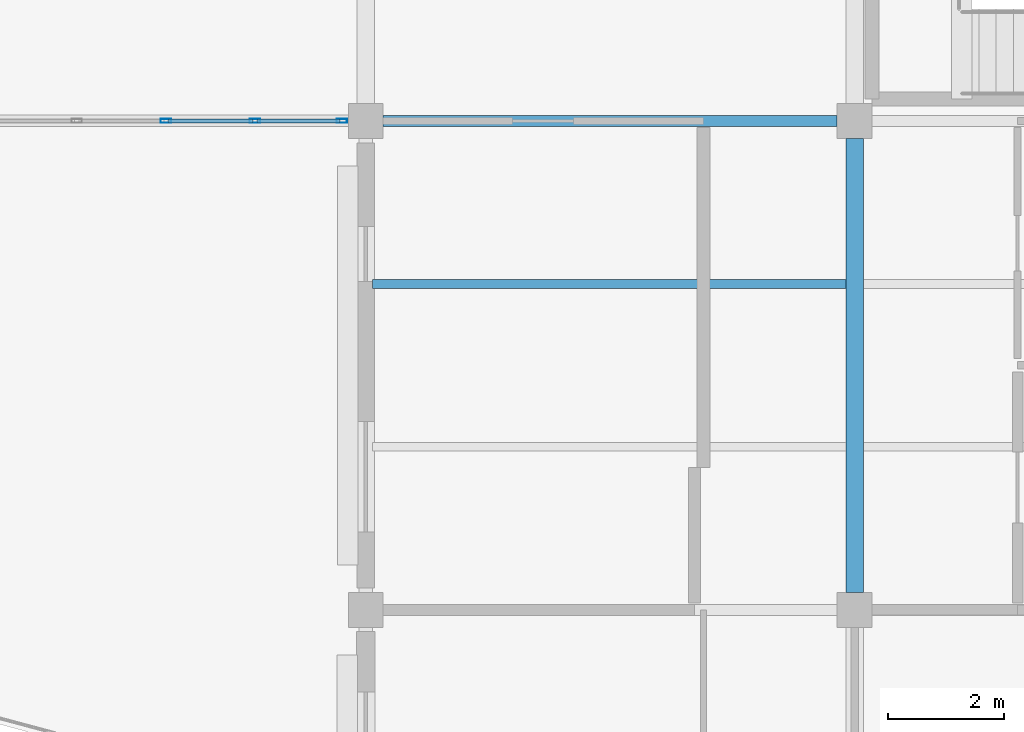
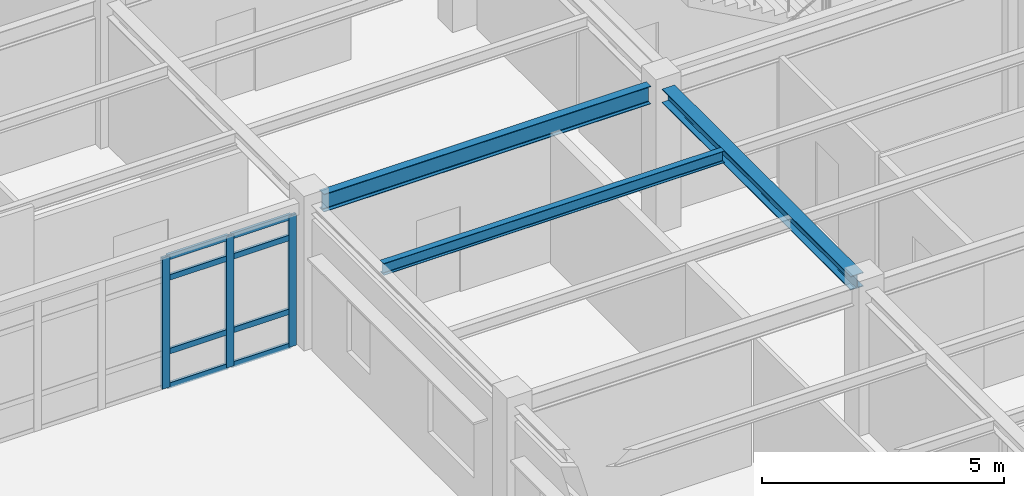
# One storey, part 19 of 86: 11 members, 3 beams, 1 element without a shape of its own.
"""IFC4 building model written with IfcOpenShell, lengths in metres."""

from ifc_helpers import new_model, si_unit, direction, frame, origin, origin_2d, place, context, subcontext, project, spatial, hollow_rectangle, i_section, extrude, material, layer, layer_set, material_profile, profile_set, type_object, element, aggregate, save


model = new_model("IFC4")

# Units and contexts
model_context = context("Model", 3, precision=1e-05, world=origin(), true_north=direction((0.0, 1.0)))
body_context = subcontext(model_context, "Body", "Model", "MODEL_VIEW")
ifc_project = project(units=[si_unit("LENGTHUNIT", "METRE"), si_unit("AREAUNIT", "SQUARE_METRE"), si_unit("VOLUMEUNIT", "CUBIC_METRE"), si_unit("PLANEANGLEUNIT", "RADIAN"), si_unit("MASSUNIT", "GRAM", prefix="KILO")], contexts=[model_context])

# Site, building, storey
site_placement = place(None, origin())
site = spatial("IfcSite", under=ifc_project, at=site_placement, CompositionType="ELEMENT")
building_placement = place(site_placement, origin())
building = spatial("IfcBuilding", under=site, at=building_placement, Name="Bramfleet General Hospital", CompositionType="ELEMENT")
storey_placement = place(building_placement, frame((0.0, 0.0, 18.60009765625)))
storey = spatial("IfcBuildingStorey", under=building, at=storey_placement, Name="L04", CompositionType="ELEMENT", Elevation=18.60009765625)

# Beams
ifc_material_1 = material(Name="Steel S355", Category="steel")
ifc_material_profile_1 = material_profile(ifc_material_1, i_section(OverallWidth=0.300048828125, OverallDepth=0.35009765625, WebThickness=0.010009765625, FlangeThickness=0.017578125, FilletRadius=0.027099609375, at=origin_2d()), Name="HEA 360")
ifc_profile_set_1 = profile_set([ifc_material_profile_1], Name="Steel S355")
beam_type_1 = type_object("IfcBeamType", Name="BM-HEA360", PredefinedType="BEAM", material=ifc_profile_set_1)
beam_1_placement = place(storey_placement, frame((100.800048828125, 84.300048828125, 3.44482421875), z_axis=(0.0, 1.0, 0.0), x_axis=(-1.0, 0.0, 0.0)))
element("IfcBeam", 1, at=beam_1_placement, inside=storey, type_object=beam_type_1, Name="L04 Grid Beam Y 12-10", PredefinedType="BEAM", context=body_context, shape_type="SweptSolid", body=[
    extrude(i_section(OverallWidth=0.300048828125, OverallDepth=0.35009765625, WebThickness=0.010009765625, FlangeThickness=0.017578125, FilletRadius=0.027099609375, at=origin_2d()), origin(), (0.0, 0.0, 1.0), 7.800048828125),
])
ifc_material_profile_2 = material_profile(ifc_material_1, i_section(OverallWidth=0.14990234375, OverallDepth=0.300048828125, WebThickness=0.007080078125, FlangeThickness=0.0107421875, FilletRadius=0.014892578125, at=origin_2d()), Name="IPE 300")
ifc_profile_set_2 = profile_set([ifc_material_profile_2], Name="Steel S355")
beam_type_2 = type_object("IfcBeamType", Name="BM-IPE300", PredefinedType="JOIST", material=ifc_profile_set_2)
beam_2_placement = place(storey_placement, frame((92.52001953125, 89.60009765625, 3.469970703125), z_axis=(1.0, 0.0, 0.0), x_axis=(0.0, 1.0, 0.0)))
element("IfcBeam", 2, at=beam_2_placement, inside=storey, type_object=beam_type_2, Name="L04 Secondary Joist 11-10-2", PredefinedType="JOIST", context=body_context, shape_type="SweptSolid", body=[
    extrude(i_section(OverallWidth=0.14990234375, OverallDepth=0.300048828125, WebThickness=0.007080078125, FlangeThickness=0.0107421875, FilletRadius=0.014892578125, at=origin_2d()), origin(), (0.0, 0.0, 1.0), 8.1298828125),
])
ifc_material_profile_3 = material_profile(ifc_material_1, i_section(OverallWidth=0.18994140625, OverallDepth=0.449951171875, WebThickness=0.009521484375, FlangeThickness=0.0146484375, FilletRadius=0.02099609375, at=origin_2d()), Name="IPE 450")
ifc_profile_set_3 = profile_set([ifc_material_profile_3], Name="Steel S355")
beam_type_3 = type_object("IfcBeamType", Name="BM-IPE450", PredefinedType="BEAM", material=ifc_profile_set_3)
beam_3_placement = place(storey_placement, frame((92.699951171875, 92.39990234375, 3.39501953125), z_axis=(1.0, 0.0, 0.0), x_axis=(0.0, 1.0, 0.0)))
element("IfcBeam", 3, at=beam_3_placement, inside=storey, type_object=beam_type_3, Name="L04 Grid Beam X 11-11", PredefinedType="BEAM", context=body_context, shape_type="SweptSolid", body=[
    extrude(i_section(OverallWidth=0.18994140625, OverallDepth=0.449951171875, WebThickness=0.009521484375, FlangeThickness=0.0146484375, FilletRadius=0.02099609375, at=origin_2d()), origin(), (0.0, 0.0, 1.0), 7.800048828125),
])

# Curtain wall, members
ifc_material_2 = material(Name="Anodised aluminium and low-E triple glazing", Category="aluminium")
ifc_layer = layer(ifc_material_2, 0.179931640625, Name="CWT-CW-01")
ifc_layer_set = layer_set([ifc_layer], Name="Anodised aluminium and low-E triple glazing")
curtain_wall_type = type_object("IfcCurtainWallType", Name="CWT-CW-01", PredefinedType="USERDEFINED", material=ifc_layer_set)
curtain_wall_placement = place(storey_placement, origin())
curtain_wall = element("IfcCurtainWall", 4, at=curtain_wall_placement, inside=storey, type_object=curtain_wall_type, Name="L04 Curtain Wall 199", ObjectType="Unitised curtain wall", PredefinedType="USERDEFINED")
ifc_material_3 = material(Name="Anodised aluminium EN AW-6060", Category="aluminium")
ifc_material_profile_4 = material_profile(ifc_material_3, hollow_rectangle(XDim=0.070068359375, YDim=0.179931640625, WallThickness=0.00390625, at=origin_2d()), Name="ALU 180x70x4.0")
ifc_profile_set_4 = profile_set([ifc_material_profile_4], Name="Anodised aluminium EN AW-6060")
member_type_1 = type_object("IfcMemberType", Name="CWM-ALU180", PredefinedType="MULLION", material=ifc_profile_set_4)
member_1_placement = place(storey_placement, frame((91.989990234375, 92.39990234375, 0.0), z_axis=(0.0, 0.0, 1.0), x_axis=(0.0, -1.0, 0.0)))
member_1 = element("IfcMember", 5, at=member_1_placement, type_object=member_type_1, Name="CW-01 mullion 1", PredefinedType="MULLION", context=body_context, shape_type="SweptSolid", body=[
    extrude(hollow_rectangle(XDim=0.070068359375, YDim=0.179931640625, WallThickness=0.00390625, at=origin_2d()), origin(), (0.0, 0.0, 1.0), 3.309814453125),
])
member_2_placement = place(storey_placement, frame((90.4951171875, 92.39990234375, 0.0), z_axis=(0.0, 0.0, 1.0), x_axis=(0.0, -1.0, 0.0)))
member_2 = element("IfcMember", 6, at=member_2_placement, type_object=member_type_1, Name="CW-01 mullion 2", PredefinedType="MULLION", context=body_context, shape_type="SweptSolid", body=[
    extrude(hollow_rectangle(XDim=0.070068359375, YDim=0.179931640625, WallThickness=0.00390625, at=origin_2d()), origin(), (0.0, 0.0, 1.0), 3.309814453125),
])
member_3_placement = place(storey_placement, frame((88.965087890625, 92.39990234375, 0.0), z_axis=(0.0, 0.0, 1.0), x_axis=(0.0, -1.0, 0.0)))
member_3 = element("IfcMember", 7, at=member_3_placement, type_object=member_type_1, Name="CW-01 mullion 3", PredefinedType="MULLION", context=body_context, shape_type="SweptSolid", body=[
    extrude(hollow_rectangle(XDim=0.070068359375, YDim=0.179931640625, WallThickness=0.00390625, at=origin_2d()), origin(), (0.0, 0.0, 1.0), 3.309814453125),
])
ifc_material_profile_5 = material_profile(ifc_material_3, hollow_rectangle(XDim=0.06494140625, YDim=0.139892578125, WallThickness=0.00390625, at=origin_2d()), Name="ALU 140x65x4.0")
ifc_profile_set_5 = profile_set([ifc_material_profile_5], Name="Anodised aluminium EN AW-6060")
member_type_2 = type_object("IfcMemberType", Name="CWT-ALU140", PredefinedType="USERDEFINED", material=ifc_profile_set_5)
member_4_placement = place(storey_placement, frame((91.955078125, 92.39990234375, 0.032470703125), z_axis=(-1.0, 0.0, 0.0), x_axis=(0.0, -1.0, 0.0)))
member_4 = element("IfcMember", 8, at=member_4_placement, type_object=member_type_2, Name="CW-01 transom 1.1", ObjectType="TRANSOM", PredefinedType="USERDEFINED", context=body_context, shape_type="SweptSolid", body=[
    extrude(hollow_rectangle(XDim=0.06494140625, YDim=0.139892578125, WallThickness=0.00390625, at=origin_2d()), origin(), (0.0, 0.0, 1.0), 1.425048828125),
])
member_5_placement = place(storey_placement, frame((91.955078125, 92.39990234375, 0.89990234375), z_axis=(-1.0, 0.0, 0.0), x_axis=(0.0, -1.0, 0.0)))
member_5 = element("IfcMember", 9, at=member_5_placement, type_object=member_type_2, Name="CW-01 transom 1.2", ObjectType="TRANSOM", PredefinedType="USERDEFINED", context=body_context, shape_type="SweptSolid", body=[
    extrude(hollow_rectangle(XDim=0.06494140625, YDim=0.139892578125, WallThickness=0.00390625, at=origin_2d()), origin(), (0.0, 0.0, 1.0), 1.425048828125),
])
member_6_placement = place(storey_placement, frame((91.955078125, 92.39990234375, 2.760009765625), z_axis=(-1.0, 0.0, 0.0), x_axis=(0.0, -1.0, 0.0)))
member_6 = element("IfcMember", 10, at=member_6_placement, type_object=member_type_2, Name="CW-01 transom 1.3", ObjectType="TRANSOM", PredefinedType="USERDEFINED", context=body_context, shape_type="SweptSolid", body=[
    extrude(hollow_rectangle(XDim=0.06494140625, YDim=0.139892578125, WallThickness=0.00390625, at=origin_2d()), origin(), (0.0, 0.0, 1.0), 1.425048828125),
])
member_7_placement = place(storey_placement, frame((91.955078125, 92.39990234375, 3.27734375), z_axis=(-1.0, 0.0, 0.0), x_axis=(0.0, -1.0, 0.0)))
member_7 = element("IfcMember", 11, at=member_7_placement, type_object=member_type_2, Name="CW-01 transom 1.4", ObjectType="TRANSOM", PredefinedType="USERDEFINED", context=body_context, shape_type="SweptSolid", body=[
    extrude(hollow_rectangle(XDim=0.06494140625, YDim=0.139892578125, WallThickness=0.00390625, at=origin_2d()), origin(), (0.0, 0.0, 1.0), 1.425048828125),
])
member_8_placement = place(storey_placement, frame((90.4599609375, 92.39990234375, 0.032470703125), z_axis=(-1.0, 0.0, 0.0), x_axis=(0.0, -1.0, 0.0)))
member_8 = element("IfcMember", 12, at=member_8_placement, type_object=member_type_2, Name="CW-01 transom 2.1", ObjectType="TRANSOM", PredefinedType="USERDEFINED", context=body_context, shape_type="SweptSolid", body=[
    extrude(hollow_rectangle(XDim=0.06494140625, YDim=0.139892578125, WallThickness=0.00390625, at=origin_2d()), origin(), (0.0, 0.0, 1.0), 1.4599609375),
])
member_9_placement = place(storey_placement, frame((90.4599609375, 92.39990234375, 0.89990234375), z_axis=(-1.0, 0.0, 0.0), x_axis=(0.0, -1.0, 0.0)))
member_9 = element("IfcMember", 13, at=member_9_placement, type_object=member_type_2, Name="CW-01 transom 2.2", ObjectType="TRANSOM", PredefinedType="USERDEFINED", context=body_context, shape_type="SweptSolid", body=[
    extrude(hollow_rectangle(XDim=0.06494140625, YDim=0.139892578125, WallThickness=0.00390625, at=origin_2d()), origin(), (0.0, 0.0, 1.0), 1.4599609375),
])
member_10_placement = place(storey_placement, frame((90.4599609375, 92.39990234375, 2.760009765625), z_axis=(-1.0, 0.0, 0.0), x_axis=(0.0, -1.0, 0.0)))
member_10 = element("IfcMember", 14, at=member_10_placement, type_object=member_type_2, Name="CW-01 transom 2.3", ObjectType="TRANSOM", PredefinedType="USERDEFINED", context=body_context, shape_type="SweptSolid", body=[
    extrude(hollow_rectangle(XDim=0.06494140625, YDim=0.139892578125, WallThickness=0.00390625, at=origin_2d()), origin(), (0.0, 0.0, 1.0), 1.4599609375),
])
member_11_placement = place(storey_placement, frame((90.4599609375, 92.39990234375, 3.27734375), z_axis=(-1.0, 0.0, 0.0), x_axis=(0.0, -1.0, 0.0)))
member_11 = element("IfcMember", 15, at=member_11_placement, type_object=member_type_2, Name="CW-01 transom 2.4", ObjectType="TRANSOM", PredefinedType="USERDEFINED", context=body_context, shape_type="SweptSolid", body=[
    extrude(hollow_rectangle(XDim=0.06494140625, YDim=0.139892578125, WallThickness=0.00390625, at=origin_2d()), origin(), (0.0, 0.0, 1.0), 1.4599609375),
])
aggregate(curtain_wall, [member_1, member_2, member_3, member_4, member_5, member_6, member_7, member_8, member_9, member_10, member_11])

save(model, "model.ifc")
